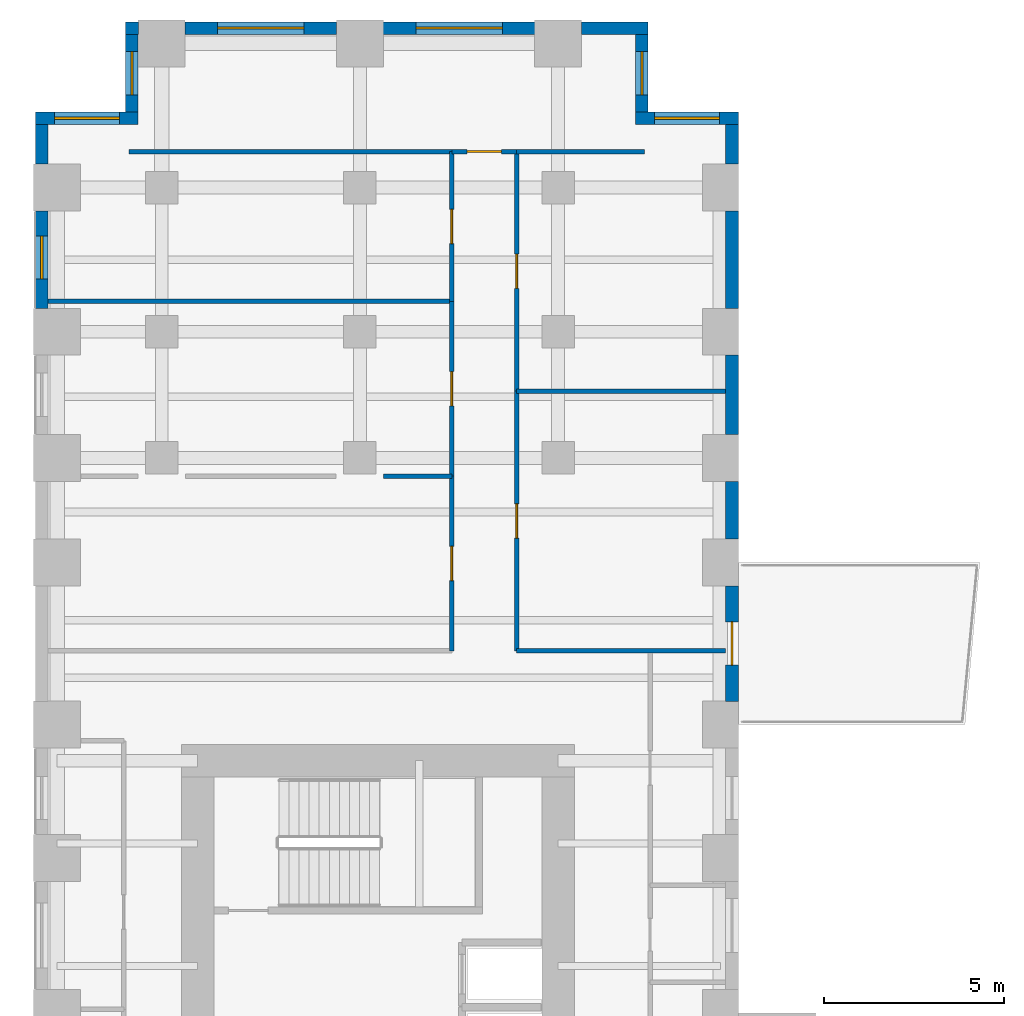
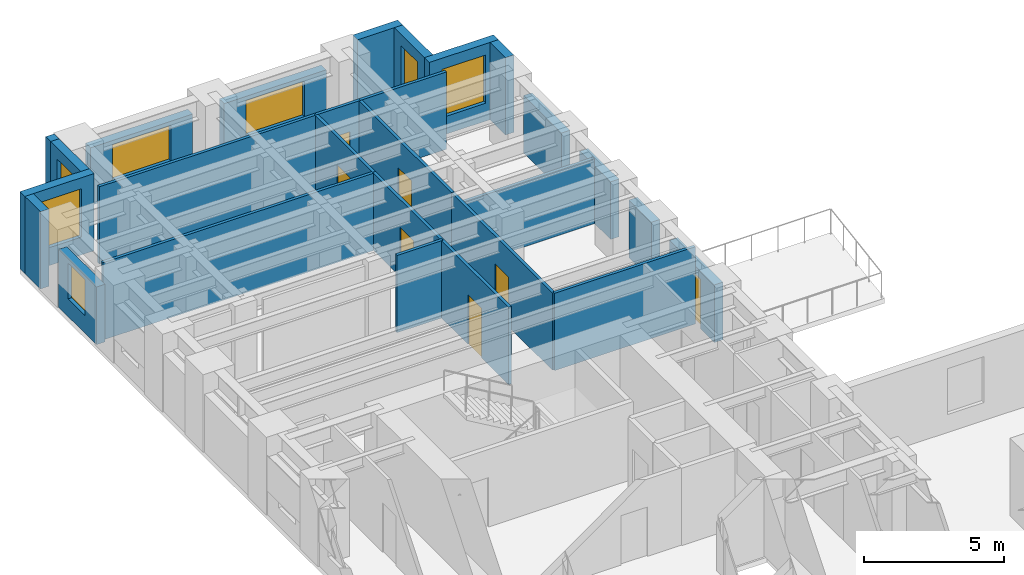
# One storey, part 9 of 12: 27 walls, 7 doors, 7 windows, 14 openings.
"""IFC4 building model written with IfcOpenShell, lengths in metres."""

from ifc_helpers import new_model, si_unit, direction, frame, frame_2d, origin, place, context, subcontext, project, spatial, rectangle, extrude, source, transform, mapped, material, layer, layer_set, type_object, element, fill, save


model = new_model("IFC4")

# Units and contexts
model_context = context("Model", 3, precision=1e-05, world=origin(), true_north=direction((0.0, 1.0)))
body_context = subcontext(model_context, "Body", "Model", "MODEL_VIEW")
ifc_project = project(units=[si_unit("LENGTHUNIT", "METRE"), si_unit("AREAUNIT", "SQUARE_METRE"), si_unit("VOLUMEUNIT", "CUBIC_METRE"), si_unit("PLANEANGLEUNIT", "RADIAN"), si_unit("MASSUNIT", "GRAM", prefix="KILO")], contexts=[model_context])

# Site, building, storey
site_placement = place(None, origin())
site = spatial("IfcSite", under=ifc_project, at=site_placement, CompositionType="ELEMENT")
building_placement = place(site_placement, origin())
building = spatial("IfcBuilding", under=site, at=building_placement, Name="Kharzan Plaza Tower", CompositionType="ELEMENT")
storey_placement = place(building_placement, frame((0.0, 0.0, 26.10009765625)))
storey = spatial("IfcBuildingStorey", under=building, at=storey_placement, Name="L06", CompositionType="ELEMENT", Elevation=26.10009765625)

# Wall, opening, window
ifc_material_1 = material(Name="Concrete C40/50", Category="concrete")
ifc_layer_1 = layer(ifc_material_1, 0.35009765625)
ifc_layer_set_1 = layer_set([ifc_layer_1], Name="Concrete C40/50")
wall_type_1 = type_object("IfcWallType", Name="WL-EXT-MAS-Z1", PredefinedType="SOLIDWALL", material=ifc_layer_set_1)
wall_1_placement = place(storey_placement, frame((19.5, 47.324951171875, 0.0), z_axis=(0.0, 0.0, 1.0), x_axis=(-1.0, 0.0, 0.0)))
wall_1 = element("IfcWall", 1, at=wall_1_placement, inside=storey, type_object=wall_type_1, Name="L06 Masonry-Frame Exterior Wall 01", PredefinedType="SOLIDWALL", context=body_context, shape_type="SweptSolid", body=[
    extrude(rectangle(XDim=2.85009765625, YDim=0.35009765625, at=frame_2d((1.425048828125, 0.0))), origin(), (0.0, 0.0, 1.0), 3.364990234375),
])
opening_1_placement = place(wall_1_placement, frame((0.52490234375, 0.0, 0.780029296875)))
opening_1 = element("IfcOpeningElement", 2, at=opening_1_placement, cuts=wall_1, Name="Opening W1", PredefinedType="OPENING", context=body_context, shape_type="SweptSolid", body=[
    extrude(rectangle(XDim=1.800048828125, YDim=2.10009765625, at=frame_2d((0.89990234375, 1.050048828125))), frame((0.0, 0.18505859375, 0.0), z_axis=(0.0, -1.0, 0.0), x_axis=(1.0, 0.0, 0.0)), (0.0, 0.0, 1.0), 0.3701171875),
])
ifc_material_2 = material(Name="Low-E Double Glazing", Category="glass")
window_type_1 = type_object("IfcWindowType", Name="WN-REC-1800x2100", PartitioningType="SINGLE_PANEL", PredefinedType="WINDOW", material=ifc_material_2)
shared_shape_1 = source(origin(), body_context, "Body", "SweptSolid", [
    extrude(rectangle(XDim=1.800048828125, YDim=2.10009765625, at=frame_2d((0.89990234375, 1.050048828125))), frame((0.0, 0.030029296875, 0.0), z_axis=(0.0, -1.0, 0.0), x_axis=(1.0, 0.0, 0.0)), (0.0, 0.0, 1.0), 0.06005859375),
])
window_1_placement = place(opening_1_placement, origin())
window_1 = element("IfcWindow", 3, at=window_1_placement, inside=storey, type_object=window_type_1, Name="L06 Recessed Solar-Control Window 01-1", OverallHeight=2.10009765625, OverallWidth=1.800048828125, PartitioningType="SINGLE_PANEL", PredefinedType="WINDOW", context=body_context, shape_type="MappedRepresentation", body=[
    mapped(shared_shape_1, transform((0.0, 0.0, 0.0), x_axis=(1.0, 0.0, 0.0), y_axis=(0.0, 1.0, 0.0), z_axis=(0.0, 0.0, 1.0))),
])
fill(opening_1, window_1)

wall_2_placement = place(storey_placement, frame((16.824951171875, 47.498046875, 0.0), z_axis=(0.0, 0.0, 1.0), x_axis=(0.0, 1.0, 0.0)))
wall_2 = element("IfcWall", 4, at=wall_2_placement, inside=storey, type_object=wall_type_1, Name="L06 Masonry-Frame Exterior Wall 02", PredefinedType="SOLIDWALL", context=body_context, shape_type="SweptSolid", body=[
    extrude(rectangle(XDim=2.154052734375, YDim=0.35009765625, at=frame_2d((1.0771484375, 0.0))), origin(), (0.0, 0.0, 1.0), 3.364990234375),
])
opening_2_placement = place(wall_2_placement, frame((0.47705078125, 0.0, 0.780029296875)))
opening_2 = element("IfcOpeningElement", 5, at=opening_2_placement, cuts=wall_2, Name="Opening W3", PredefinedType="OPENING", context=body_context, shape_type="SweptSolid", body=[
    extrude(rectangle(XDim=1.199951171875, YDim=2.10009765625, at=frame_2d((0.60009765625, 1.050048828125))), frame((0.0, 0.18505859375, 0.0), z_axis=(0.0, -1.0, 0.0), x_axis=(1.0, 0.0, 0.0)), (0.0, 0.0, 1.0), 0.3701171875),
])
window_type_2 = type_object("IfcWindowType", Name="WN-REC-1200x2100", PartitioningType="SINGLE_PANEL", PredefinedType="WINDOW", material=ifc_material_2)
shared_shape_2 = source(origin(), body_context, "Body", "SweptSolid", [
    extrude(rectangle(XDim=1.199951171875, YDim=2.10009765625, at=frame_2d((0.60009765625, 1.050048828125))), frame((0.0, 0.030029296875, 0.0), z_axis=(0.0, -1.0, 0.0), x_axis=(1.0, 0.0, 0.0)), (0.0, 0.0, 1.0), 0.06005859375),
])
window_2_placement = place(opening_2_placement, origin())
window_2 = element("IfcWindow", 6, at=window_2_placement, inside=storey, type_object=window_type_2, Name="L06 Recessed Solar-Control Window 02-1", OverallHeight=2.10009765625, OverallWidth=1.199951171875, PartitioningType="SINGLE_PANEL", PredefinedType="WINDOW", context=body_context, shape_type="MappedRepresentation", body=[
    mapped(shared_shape_2, transform((0.0, 0.0, 0.0), x_axis=(1.0, 0.0, 0.0), y_axis=(0.0, 1.0, 0.0), z_axis=(0.0, 0.0, 1.0))),
])
fill(opening_2, window_2)

wall_3_placement = place(storey_placement, frame((13.85205078125, 49.824951171875, 0.0), z_axis=(0.0, 0.0, 1.0), x_axis=(-1.0, 0.0, 0.0)))
wall_3 = element("IfcWall", 7, at=wall_3_placement, inside=storey, type_object=wall_type_1, Name="L06 Masonry-Frame Exterior Wall 04", PredefinedType="SOLIDWALL", context=body_context, shape_type="SweptSolid", body=[
    extrude(rectangle(XDim=4.2041015625, YDim=0.35009765625, at=frame_2d((2.10205078125, 0.0))), origin(), (0.0, 0.0, 1.0), 2.510009765625),
])
opening_3_placement = place(wall_3_placement, frame((0.902099609375, 0.0, 0.780029296875)))
opening_3 = element("IfcOpeningElement", 8, at=opening_3_placement, cuts=wall_3, Name="Opening W2", PredefinedType="OPENING", context=body_context, shape_type="SweptSolid", body=[
    extrude(rectangle(XDim=2.39990234375, YDim=1.550048828125, at=frame_2d((1.199951171875, 0.77490234375))), frame((0.0, 0.18505859375, 0.0), z_axis=(0.0, -1.0, 0.0), x_axis=(1.0, 0.0, 0.0)), (0.0, 0.0, 1.0), 0.3701171875),
])
window_type_3 = type_object("IfcWindowType", Name="WN-REC-2400x2100", PartitioningType="SINGLE_PANEL", PredefinedType="WINDOW", material=ifc_material_2)
shared_shape_3 = source(origin(), body_context, "Body", "SweptSolid", [
    extrude(rectangle(XDim=2.39990234375, YDim=1.550048828125, at=frame_2d((1.199951171875, 0.77490234375))), frame((0.0, 0.030029296875, 0.0), z_axis=(0.0, -1.0, 0.0), x_axis=(1.0, 0.0, 0.0)), (0.0, 0.0, 1.0), 0.06005859375),
])
window_3_placement = place(opening_3_placement, origin())
window_3 = element("IfcWindow", 9, at=window_3_placement, inside=storey, type_object=window_type_3, Name="L06 Wide Recessed Solar-Control Window 04-1", OverallHeight=1.550048828125, OverallWidth=2.39990234375, PartitioningType="SINGLE_PANEL", PredefinedType="WINDOW", context=body_context, shape_type="MappedRepresentation", body=[
    mapped(shared_shape_3, transform((0.0, 0.0, 0.0), x_axis=(1.0, 0.0, 0.0), y_axis=(0.0, 1.0, 0.0), z_axis=(0.0, 0.0, 1.0))),
])
fill(opening_3, window_3)

wall_4_placement = place(storey_placement, frame((8.35205078125, 49.824951171875, 0.0), z_axis=(0.0, 0.0, 1.0), x_axis=(-1.0, 0.0, 0.0)))
wall_4 = element("IfcWall", 10, at=wall_4_placement, inside=storey, type_object=wall_type_1, Name="L06 Masonry-Frame Exterior Wall 05", PredefinedType="SOLIDWALL", context=body_context, shape_type="SweptSolid", body=[
    extrude(rectangle(XDim=4.2041015625, YDim=0.35009765625, at=frame_2d((2.10205078125, 0.0))), origin(), (0.0, 0.0, 1.0), 2.510009765625),
])
opening_4_placement = place(wall_4_placement, frame((0.902099609375, 0.0, 0.780029296875)))
opening_4 = element("IfcOpeningElement", 11, at=opening_4_placement, cuts=wall_4, Name="Opening W2", PredefinedType="OPENING", context=body_context, shape_type="SweptSolid", body=[
    extrude(rectangle(XDim=2.39990234375, YDim=1.550048828125, at=frame_2d((1.199951171875, 0.77490234375))), frame((0.0, 0.18505859375, 0.0), z_axis=(0.0, -1.0, 0.0), x_axis=(1.0, 0.0, 0.0)), (0.0, 0.0, 1.0), 0.3701171875),
])
window_4_placement = place(opening_4_placement, origin())
window_4 = element("IfcWindow", 12, at=window_4_placement, inside=storey, type_object=window_type_3, Name="L06 Wide Recessed Solar-Control Window 05-1", OverallHeight=1.550048828125, OverallWidth=2.39990234375, PartitioningType="SINGLE_PANEL", PredefinedType="WINDOW", context=body_context, shape_type="MappedRepresentation", body=[
    mapped(shared_shape_3, transform((0.0, 0.0, 0.0), x_axis=(1.0, 0.0, 0.0), y_axis=(0.0, 1.0, 0.0), z_axis=(0.0, 0.0, 1.0))),
])
fill(opening_4, window_4)

wall_5_placement = place(storey_placement, frame((2.675048828125, 49.652099609375, 0.0), z_axis=(0.0, 0.0, 1.0), x_axis=(0.0, -1.0, 0.0)))
wall_5 = element("IfcWall", 13, at=wall_5_placement, inside=storey, type_object=wall_type_1, Name="L06 Masonry-Frame Exterior Wall 07", PredefinedType="SOLIDWALL", context=body_context, shape_type="SweptSolid", body=[
    extrude(rectangle(XDim=2.154052734375, YDim=0.35009765625, at=frame_2d((1.0771484375, 0.0))), origin(), (0.0, 0.0, 1.0), 3.364990234375),
])
opening_5_placement = place(wall_5_placement, frame((0.47705078125, 0.0, 0.780029296875)))
opening_5 = element("IfcOpeningElement", 14, at=opening_5_placement, cuts=wall_5, Name="Opening W3", PredefinedType="OPENING", context=body_context, shape_type="SweptSolid", body=[
    extrude(rectangle(XDim=1.199951171875, YDim=2.10009765625, at=frame_2d((0.60009765625, 1.050048828125))), frame((0.0, 0.18505859375, 0.0), z_axis=(0.0, -1.0, 0.0), x_axis=(1.0, 0.0, 0.0)), (0.0, 0.0, 1.0), 0.3701171875),
])
window_5_placement = place(opening_5_placement, origin())
window_5 = element("IfcWindow", 15, at=window_5_placement, inside=storey, type_object=window_type_2, Name="L06 Recessed Solar-Control Window 07-1", OverallHeight=2.10009765625, OverallWidth=1.199951171875, PartitioningType="SINGLE_PANEL", PredefinedType="WINDOW", context=body_context, shape_type="MappedRepresentation", body=[
    mapped(shared_shape_2, transform((0.0, 0.0, 0.0), x_axis=(1.0, 0.0, 0.0), y_axis=(0.0, 1.0, 0.0), z_axis=(0.0, 0.0, 1.0))),
])
fill(opening_5, window_5)

wall_6_placement = place(storey_placement, frame((2.85009765625, 47.324951171875, 0.0), z_axis=(0.0, 0.0, 1.0), x_axis=(-1.0, 0.0, 0.0)))
wall_6 = element("IfcWall", 16, at=wall_6_placement, inside=storey, type_object=wall_type_1, Name="L06 Masonry-Frame Exterior Wall 08", PredefinedType="SOLIDWALL", context=body_context, shape_type="SweptSolid", body=[
    extrude(rectangle(XDim=2.85009765625, YDim=0.35009765625, at=frame_2d((1.425048828125, 0.0))), origin(), (0.0, 0.0, 1.0), 3.364990234375),
])
opening_6_placement = place(wall_6_placement, frame((0.52490234375, 0.0, 0.780029296875)))
opening_6 = element("IfcOpeningElement", 17, at=opening_6_placement, cuts=wall_6, Name="Opening W1", PredefinedType="OPENING", context=body_context, shape_type="SweptSolid", body=[
    extrude(rectangle(XDim=1.800048828125, YDim=2.10009765625, at=frame_2d((0.89990234375, 1.050048828125))), frame((0.0, 0.18505859375, 0.0), z_axis=(0.0, -1.0, 0.0), x_axis=(1.0, 0.0, 0.0)), (0.0, 0.0, 1.0), 0.3701171875),
])
window_6_placement = place(opening_6_placement, origin())
window_6 = element("IfcWindow", 18, at=window_6_placement, inside=storey, type_object=window_type_1, Name="L06 Recessed Solar-Control Window 08-1", OverallHeight=2.10009765625, OverallWidth=1.800048828125, PartitioningType="SINGLE_PANEL", PredefinedType="WINDOW", context=body_context, shape_type="MappedRepresentation", body=[
    mapped(shared_shape_1, transform((0.0, 0.0, 0.0), x_axis=(1.0, 0.0, 0.0), y_axis=(0.0, 1.0, 0.0), z_axis=(0.0, 0.0, 1.0))),
])
fill(opening_6, window_6)

wall_7_placement = place(storey_placement, frame((0.175048828125, 44.751953125, 0.0), z_axis=(0.0, 0.0, 1.0), x_axis=(0.0, -1.0, 0.0)))
wall_7 = element("IfcWall", 19, at=wall_7_placement, inside=storey, type_object=wall_type_1, Name="L06 Masonry-Frame Exterior Wall 10", PredefinedType="SOLIDWALL", context=body_context, shape_type="SweptSolid", body=[
    extrude(rectangle(XDim=2.703857421875, YDim=0.35009765625, at=frame_2d((1.35205078125, 0.0))), origin(), (0.0, 0.0, 1.0), 2.510009765625),
])
opening_7_placement = place(wall_7_placement, frame((0.6884765625, 0.0, 0.780029296875)))
opening_7 = element("IfcOpeningElement", 20, at=opening_7_placement, cuts=wall_7, Name="Opening W3", PredefinedType="OPENING", context=body_context, shape_type="SweptSolid", body=[
    extrude(rectangle(XDim=1.199951171875, YDim=1.550048828125, at=frame_2d((0.60009765625, 0.77490234375))), frame((0.0, 0.18505859375, 0.0), z_axis=(0.0, -1.0, 0.0), x_axis=(1.0, 0.0, 0.0)), (0.0, 0.0, 1.0), 0.3701171875),
])
shared_shape_4 = source(origin(), body_context, "Body", "SweptSolid", [
    extrude(rectangle(XDim=1.199951171875, YDim=1.550048828125, at=frame_2d((0.60009765625, 0.77490234375))), frame((0.0, 0.030029296875, 0.0), z_axis=(0.0, -1.0, 0.0), x_axis=(1.0, 0.0, 0.0)), (0.0, 0.0, 1.0), 0.06005859375),
])
window_7_placement = place(opening_7_placement, origin())
window_7 = element("IfcWindow", 21, at=window_7_placement, inside=storey, type_object=window_type_2, Name="L06 Recessed Solar-Control Window 10-1", OverallHeight=1.550048828125, OverallWidth=1.199951171875, PartitioningType="SINGLE_PANEL", PredefinedType="WINDOW", context=body_context, shape_type="MappedRepresentation", body=[
    mapped(shared_shape_4, transform((0.0, 0.0, 0.0), x_axis=(1.0, 0.0, 0.0), y_axis=(0.0, 1.0, 0.0), z_axis=(0.0, 0.0, 1.0))),
])
fill(opening_7, window_7)

# Wall, opening, door
wall_8_placement = place(storey_placement, frame((19.324951171875, 31.14794921875, 0.0), z_axis=(0.0, 0.0, 1.0), x_axis=(0.0, 1.0, 0.0)))
wall_8 = element("IfcWall", 22, at=wall_8_placement, inside=storey, type_object=wall_type_1, Name="L06 Masonry-Frame Exterior Wall 56", PredefinedType="SOLIDWALL", context=body_context, shape_type="SweptSolid", body=[
    extrude(rectangle(XDim=3.2041015625, YDim=0.35009765625, at=frame_2d((1.60205078125, 0.0))), origin(), (0.0, 0.0, 1.0), 2.510009765625),
])
opening_8_placement = place(wall_8_placement, frame((1.001953125, 0.0, 0.0)))
opening_8 = element("IfcOpeningElement", 23, at=opening_8_placement, cuts=wall_8, Name="Opening ED3", PredefinedType="OPENING", context=body_context, shape_type="SweptSolid", body=[
    extrude(rectangle(XDim=1.199951171875, YDim=2.14990234375, at=frame_2d((0.60009765625, 1.074951171875))), frame((0.0, 0.18505859375, 0.0), z_axis=(0.0, -1.0, 0.0), x_axis=(1.0, 0.0, 0.0)), (0.0, 0.0, 1.0), 0.3701171875),
])
ifc_material_3 = material(Name="Thermally Broken Anodized Bronze Aluminium", Category="aluminium")
door_type_1 = type_object("IfcDoorType", Name="DR-EXT-TRAY-1200", OperationType="SINGLE_SWING_LEFT", PredefinedType="DOOR", material=ifc_material_3)
shared_shape_5 = source(origin(), body_context, "Body", "SweptSolid", [
    extrude(rectangle(XDim=1.199951171875, YDim=2.14990234375, at=frame_2d((0.60009765625, 1.074951171875))), frame((0.0, 0.02490234375, 0.0), z_axis=(0.0, -1.0, 0.0), x_axis=(1.0, 0.0, 0.0)), (0.0, 0.0, 1.0), 0.050048828125),
])
door_1_placement = place(opening_8_placement, frame((1.199951171875, 0.0, 0.0), z_axis=(0.0, 0.0, 1.0), x_axis=(-1.0, 0.0, 0.0)))
door_1 = element("IfcDoor", 24, at=door_1_placement, inside=storey, type_object=door_type_1, Name="L06 Cantilevered Sky-Terrace Tray Access Door", OperationType="SINGLE_SWING_LEFT", OverallHeight=2.14990234375, OverallWidth=1.199951171875, PredefinedType="DOOR", context=body_context, shape_type="MappedRepresentation", body=[
    mapped(shared_shape_5, transform((0.0, 0.0, 0.0), x_axis=(1.0, 0.0, 0.0), y_axis=(0.0, 1.0, 0.0), z_axis=(0.0, 0.0, 1.0))),
])
fill(opening_8, door_1)

ifc_material_4 = material(Name="Fire-Rated Gypsum Board Partition", Category="gypsum")
ifc_layer_2 = layer(ifc_material_4, 0.125)
ifc_layer_set_2 = layer_set([ifc_layer_2], Name="Fire-Rated Gypsum Board Partition")
wall_type_2 = type_object("IfcWallType", Name="WL-INT-PART-125", PredefinedType="PARTITIONING", material=ifc_layer_set_2)
wall_9_placement = place(storey_placement, frame((13.35009765625, 32.550048828125, 0.0), z_axis=(0.0, 0.0, 1.0), x_axis=(0.0, 1.0, 0.0)))
wall_9 = element("IfcWall", 25, at=wall_9_placement, inside=storey, type_object=wall_type_2, Name="L06 Interior Partition SH-SPE-1", PredefinedType="PARTITIONING", context=body_context, shape_type="SweptSolid", body=[
    extrude(rectangle(XDim=7.201904296875, YDim=0.125, at=frame_2d((3.60107421875, 0.0))), origin(), (0.0, 0.0, 1.0), 3.364990234375),
])
opening_9_placement = place(wall_9_placement, frame((3.1259765625, 0.0, 0.0)))
opening_9 = element("IfcOpeningElement", 26, at=opening_9_placement, cuts=wall_9, Name="Opening OD1", PredefinedType="OPENING", context=body_context, shape_type="SweptSolid", body=[
    extrude(rectangle(XDim=0.949951171875, YDim=2.14990234375, at=frame_2d((0.47509765625, 1.074951171875))), frame((0.0, 0.072509765625, 0.0), z_axis=(0.0, -1.0, 0.0), x_axis=(1.0, 0.0, 0.0)), (0.0, 0.0, 1.0), 0.14501953125),
])
ifc_material_5 = material(Name="Acoustic Solid-Core Stained Oak", Category="timber")
door_type_2 = type_object("IfcDoorType", Name="DR-OFF-SINGLE", OperationType="NOTDEFINED", PredefinedType="DOOR", material=ifc_material_5)
shared_shape_6 = source(origin(), body_context, "Body", "SweptSolid", [
    extrude(rectangle(XDim=0.949951171875, YDim=2.14990234375, at=frame_2d((0.47509765625, 1.074951171875))), frame((0.0, 0.02490234375, 0.0), z_axis=(0.0, -1.0, 0.0), x_axis=(1.0, 0.0, 0.0)), (0.0, 0.0, 1.0), 0.050048828125),
])
door_2_placement = place(opening_9_placement, origin())
door_2 = element("IfcDoor", 27, at=door_2_placement, inside=storey, type_object=door_type_2, Name="L06 Architectural Design Studio Door", OperationType="SINGLE_SWING_RIGHT", OverallHeight=2.14990234375, OverallWidth=0.949951171875, PredefinedType="DOOR", context=body_context, shape_type="MappedRepresentation", body=[
    mapped(shared_shape_6, transform((0.0, 0.0, 0.0), x_axis=(1.0, 0.0, 0.0), y_axis=(0.0, 1.0, 0.0), z_axis=(0.0, 0.0, 1.0))),
])
fill(opening_9, door_2)

wall_10_placement = place(storey_placement, frame((13.35009765625, 39.751953125, 0.0), z_axis=(0.0, 0.0, 1.0), x_axis=(0.0, 1.0, 0.0)))
wall_10 = element("IfcWall", 28, at=wall_10_placement, inside=storey, type_object=wall_type_2, Name="L06 Interior Partition SH-SPE-2", PredefinedType="PARTITIONING", context=body_context, shape_type="SweptSolid", body=[
    extrude(rectangle(XDim=6.64794921875, YDim=0.125, at=frame_2d((3.323974609375, 0.0))), origin(), (0.0, 0.0, 1.0), 3.364990234375),
])
opening_10_placement = place(wall_10_placement, frame((2.84912109375, 0.0, 0.0)))
opening_10 = element("IfcOpeningElement", 29, at=opening_10_placement, cuts=wall_10, Name="Opening OD1", PredefinedType="OPENING", context=body_context, shape_type="SweptSolid", body=[
    extrude(rectangle(XDim=0.949951171875, YDim=2.14990234375, at=frame_2d((0.47509765625, 1.074951171875))), frame((0.0, 0.072509765625, 0.0), z_axis=(0.0, -1.0, 0.0), x_axis=(1.0, 0.0, 0.0)), (0.0, 0.0, 1.0), 0.14501953125),
])
door_3_placement = place(opening_10_placement, origin())
door_3 = element("IfcDoor", 30, at=door_3_placement, inside=storey, type_object=door_type_2, Name="L06 Architectural Design Studio Door", OperationType="SINGLE_SWING_RIGHT", OverallHeight=2.14990234375, OverallWidth=0.949951171875, PredefinedType="DOOR", context=body_context, shape_type="MappedRepresentation", body=[
    mapped(shared_shape_6, transform((0.0, 0.0, 0.0), x_axis=(1.0, 0.0, 0.0), y_axis=(0.0, 1.0, 0.0), z_axis=(0.0, 0.0, 1.0))),
])
fill(opening_10, door_3)

wall_11_placement = place(storey_placement, frame((11.550048828125, 46.39990234375, 0.0), z_axis=(0.0, 0.0, 1.0), x_axis=(1.0, 0.0, 0.0)))
wall_11 = element("IfcWall", 31, at=wall_11_placement, inside=storey, type_object=wall_type_2, Name="L06 Interior Partition SH-SPHD", PredefinedType="PARTITIONING", context=body_context, shape_type="SweptSolid", body=[
    extrude(rectangle(XDim=1.800048828125, YDim=0.125, at=frame_2d((0.89990234375, 0.0))), origin(), (0.0, 0.0, 1.0), 3.364990234375),
])
opening_11_placement = place(wall_11_placement, frame((0.425048828125, 0.0, 0.0)))
opening_11 = element("IfcOpeningElement", 32, at=opening_11_placement, cuts=wall_11, Name="Opening OD1", PredefinedType="OPENING", context=body_context, shape_type="SweptSolid", body=[
    extrude(rectangle(XDim=0.949951171875, YDim=2.14990234375, at=frame_2d((0.47509765625, 1.074951171875))), frame((0.0, 0.072509765625, 0.0), z_axis=(0.0, -1.0, 0.0), x_axis=(1.0, 0.0, 0.0)), (0.0, 0.0, 1.0), 0.14501953125),
])
door_4_placement = place(opening_11_placement, origin())
door_4 = element("IfcDoor", 33, at=door_4_placement, inside=storey, type_object=door_type_2, Name="L06 North Boardroom Door", OperationType="SINGLE_SWING_RIGHT", OverallHeight=2.14990234375, OverallWidth=0.949951171875, PredefinedType="DOOR", context=body_context, shape_type="MappedRepresentation", body=[
    mapped(shared_shape_6, transform((0.0, 0.0, 0.0), x_axis=(1.0, 0.0, 0.0), y_axis=(0.0, 1.0, 0.0), z_axis=(0.0, 0.0, 1.0))),
])
fill(opening_11, door_4)

wall_12_placement = place(storey_placement, frame((11.550048828125, 32.550048828125, 0.0), z_axis=(0.0, 0.0, 1.0), x_axis=(0.0, 1.0, 0.0)))
wall_12 = element("IfcWall", 34, at=wall_12_placement, inside=storey, type_object=wall_type_2, Name="L06 Interior Partition SH-SPW-1", PredefinedType="PARTITIONING", context=body_context, shape_type="SweptSolid", body=[
    extrude(rectangle(XDim=4.846923828125, YDim=0.125, at=frame_2d((2.42333984375, 0.0))), origin(), (0.0, 0.0, 1.0), 3.364990234375),
])
opening_12_placement = place(wall_12_placement, frame((1.948486328125, 0.0, 0.0)))
opening_12 = element("IfcOpeningElement", 35, at=opening_12_placement, cuts=wall_12, Name="Opening OD1", PredefinedType="OPENING", context=body_context, shape_type="SweptSolid", body=[
    extrude(rectangle(XDim=0.949951171875, YDim=2.14990234375, at=frame_2d((0.47509765625, 1.074951171875))), frame((0.0, 0.072509765625, 0.0), z_axis=(0.0, -1.0, 0.0), x_axis=(1.0, 0.0, 0.0)), (0.0, 0.0, 1.0), 0.14501953125),
])
door_5_placement = place(opening_12_placement, origin())
door_5 = element("IfcDoor", 36, at=door_5_placement, inside=storey, type_object=door_type_2, Name="L06 Staff Tea Pantry Door", OperationType="SINGLE_SWING_LEFT", OverallHeight=2.14990234375, OverallWidth=0.949951171875, PredefinedType="DOOR", context=body_context, shape_type="MappedRepresentation", body=[
    mapped(shared_shape_6, transform((0.0, 0.0, 0.0), x_axis=(1.0, 0.0, 0.0), y_axis=(0.0, 1.0, 0.0), z_axis=(0.0, 0.0, 1.0))),
])
fill(opening_12, door_5)

wall_13_placement = place(storey_placement, frame((11.550048828125, 37.39697265625, 0.0), z_axis=(0.0, 0.0, 1.0), x_axis=(0.0, 1.0, 0.0)))
wall_13 = element("IfcWall", 37, at=wall_13_placement, inside=storey, type_object=wall_type_2, Name="L06 Interior Partition SH-SPW-2", PredefinedType="PARTITIONING", context=body_context, shape_type="SweptSolid", body=[
    extrude(rectangle(XDim=4.84814453125, YDim=0.125, at=frame_2d((2.424072265625, 0.0))), origin(), (0.0, 0.0, 1.0), 3.364990234375),
])
opening_13_placement = place(wall_13_placement, frame((1.948974609375, 0.0, 0.0)))
opening_13 = element("IfcOpeningElement", 38, at=opening_13_placement, cuts=wall_13, Name="Opening OD1", PredefinedType="OPENING", context=body_context, shape_type="SweptSolid", body=[
    extrude(rectangle(XDim=0.949951171875, YDim=2.14990234375, at=frame_2d((0.47509765625, 1.074951171875))), frame((0.0, 0.072509765625, 0.0), z_axis=(0.0, -1.0, 0.0), x_axis=(1.0, 0.0, 0.0)), (0.0, 0.0, 1.0), 0.14501953125),
])
door_6_placement = place(opening_13_placement, origin())
door_6 = element("IfcDoor", 39, at=door_6_placement, inside=storey, type_object=door_type_2, Name="L06 Staff Tea Pantry Door", OperationType="SINGLE_SWING_RIGHT", OverallHeight=2.14990234375, OverallWidth=0.949951171875, PredefinedType="DOOR", context=body_context, shape_type="MappedRepresentation", body=[
    mapped(shared_shape_6, transform((0.0, 0.0, 0.0), x_axis=(1.0, 0.0, 0.0), y_axis=(0.0, 1.0, 0.0), z_axis=(0.0, 0.0, 1.0))),
])
fill(opening_13, door_6)

wall_14_placement = place(storey_placement, frame((11.550048828125, 42.2451171875, 0.0), z_axis=(0.0, 0.0, 1.0), x_axis=(0.0, 1.0, 0.0)))
wall_14 = element("IfcWall", 40, at=wall_14_placement, inside=storey, type_object=wall_type_2, Name="L06 Interior Partition SH-SPW-3", PredefinedType="PARTITIONING", context=body_context, shape_type="SweptSolid", body=[
    extrude(rectangle(XDim=4.15478515625, YDim=0.125, at=frame_2d((2.077392578125, 0.0))), origin(), (0.0, 0.0, 1.0), 3.364990234375),
])
opening_14_placement = place(wall_14_placement, frame((1.6025390625, 0.0, 0.0)))
opening_14 = element("IfcOpeningElement", 41, at=opening_14_placement, cuts=wall_14, Name="Opening OD1", PredefinedType="OPENING", context=body_context, shape_type="SweptSolid", body=[
    extrude(rectangle(XDim=0.949951171875, YDim=2.14990234375, at=frame_2d((0.47509765625, 1.074951171875))), frame((0.0, 0.072509765625, 0.0), z_axis=(0.0, -1.0, 0.0), x_axis=(1.0, 0.0, 0.0)), (0.0, 0.0, 1.0), 0.14501953125),
])
door_7_placement = place(opening_14_placement, origin())
door_7 = element("IfcDoor", 42, at=door_7_placement, inside=storey, type_object=door_type_2, Name="L06 Standards Compliance Office Door", OperationType="SINGLE_SWING_LEFT", OverallHeight=2.14990234375, OverallWidth=0.949951171875, PredefinedType="DOOR", context=body_context, shape_type="MappedRepresentation", body=[
    mapped(shared_shape_6, transform((0.0, 0.0, 0.0), x_axis=(1.0, 0.0, 0.0), y_axis=(0.0, 1.0, 0.0), z_axis=(0.0, 0.0, 1.0))),
])
fill(opening_14, door_7)

# Walls
shared_shape_7 = source(origin(), body_context, "Body", "SweptSolid", [
    extrude(rectangle(XDim=1.85205078125, YDim=0.35009765625, at=frame_2d((0.926025390625, 0.0))), origin(), (0.0, 0.0, 1.0), 3.364990234375),
])
wall_15_placement = place(storey_placement, frame((17.0, 49.824951171875, 0.0), z_axis=(0.0, 0.0, 1.0), x_axis=(-1.0, 0.0, 0.0)))
element("IfcWall", 43, at=wall_15_placement, inside=storey, type_object=wall_type_1, Name="L06 Masonry-Frame Exterior Wall 03", PredefinedType="SOLIDWALL", context=body_context, shape_type="MappedRepresentation", body=[
    mapped(shared_shape_7, transform((0.0, 0.0, 0.0), x_axis=(1.0, 0.0, 0.0), y_axis=(0.0, 1.0, 0.0), z_axis=(0.0, 0.0, 1.0))),
])
shared_shape_8 = source(origin(), body_context, "Body", "SweptSolid", [
    extrude(rectangle(XDim=0.35205078125, YDim=0.35009765625, at=frame_2d((0.176025390625, 0.0))), origin(), (0.0, 0.0, 1.0), 3.364990234375),
])
wall_16_placement = place(storey_placement, frame((2.85205078125, 49.824951171875, 0.0), z_axis=(0.0, 0.0, 1.0), x_axis=(-1.0, 0.0, 0.0)))
element("IfcWall", 44, at=wall_16_placement, inside=storey, type_object=wall_type_1, Name="L06 Masonry-Frame Exterior Wall 06", PredefinedType="SOLIDWALL", context=body_context, shape_type="MappedRepresentation", body=[
    mapped(shared_shape_8, transform((0.0, 0.0, 0.0), x_axis=(1.0, 0.0, 0.0), y_axis=(0.0, 1.0, 0.0), z_axis=(0.0, 0.0, 1.0))),
])
shared_shape_9 = source(origin(), body_context, "Body", "SweptSolid", [
    extrude(rectangle(XDim=1.10400390625, YDim=0.35009765625, at=frame_2d((0.552001953125, 0.0))), origin(), (0.0, 0.0, 1.0), 3.364990234375),
])
for number, where, z_axis, x_axis, name in (
    (45, (0.175048828125, 47.152099609375, 0.0), (0.0, 0.0, 1.0), (0.0, -1.0, 0.0), "L06 Masonry-Frame Exterior Wall 09"),
    (46, (19.324951171875, 46.048095703125, 0.0), (0.0, 0.0, 1.0), (0.0, 1.0, 0.0), "L06 Masonry-Frame Exterior Wall 60"),
):
    element("IfcWall", number, at=place(storey_placement, frame(where, z_axis=z_axis, x_axis=x_axis)), inside=storey, type_object=wall_type_1, Name=name, PredefinedType="SOLIDWALL", context=body_context, shape_type="MappedRepresentation", body=[
        mapped(shared_shape_9, transform((0.0, 0.0, 0.0), x_axis=(1.0, 0.0, 0.0), y_axis=(0.0, 1.0, 0.0), z_axis=(0.0, 0.0, 1.0))),
    ])
shared_shape_10 = source(origin(), body_context, "Body", "SweptSolid", [
    extrude(rectangle(XDim=1.60400390625, YDim=0.35009765625, at=frame_2d((0.802001953125, 0.0))), origin(), (0.0, 0.0, 1.0), 2.510009765625),
])
wall_17_placement = place(storey_placement, frame((19.324951171875, 35.64794921875, 0.0), z_axis=(0.0, 0.0, 1.0), x_axis=(0.0, 1.0, 0.0)))
element("IfcWall", 47, at=wall_17_placement, inside=storey, type_object=wall_type_1, Name="L06 Masonry-Frame Exterior Wall 57", PredefinedType="SOLIDWALL", context=body_context, shape_type="MappedRepresentation", body=[
    mapped(shared_shape_10, transform((0.0, 0.0, 0.0), x_axis=(1.0, 0.0, 0.0), y_axis=(0.0, 1.0, 0.0), z_axis=(0.0, 0.0, 1.0))),
])
shared_shape_11 = source(origin(), body_context, "Body", "SweptSolid", [
    extrude(rectangle(XDim=2.203857421875, YDim=0.35009765625, at=frame_2d((1.10205078125, 0.0))), origin(), (0.0, 0.0, 1.0), 2.510009765625),
])
wall_18_placement = place(storey_placement, frame((19.324951171875, 38.548095703125, 0.0), z_axis=(0.0, 0.0, 1.0), x_axis=(0.0, 1.0, 0.0)))
element("IfcWall", 48, at=wall_18_placement, inside=storey, type_object=wall_type_1, Name="L06 Masonry-Frame Exterior Wall 58", PredefinedType="SOLIDWALL", context=body_context, shape_type="MappedRepresentation", body=[
    mapped(shared_shape_11, transform((0.0, 0.0, 0.0), x_axis=(1.0, 0.0, 0.0), y_axis=(0.0, 1.0, 0.0), z_axis=(0.0, 0.0, 1.0))),
])
shared_shape_12 = source(origin(), body_context, "Body", "SweptSolid", [
    extrude(rectangle(XDim=2.703857421875, YDim=0.35009765625, at=frame_2d((1.35205078125, 0.0))), origin(), (0.0, 0.0, 1.0), 2.510009765625),
])
wall_19_placement = place(storey_placement, frame((19.324951171875, 42.048095703125, 0.0), z_axis=(0.0, 0.0, 1.0), x_axis=(0.0, 1.0, 0.0)))
element("IfcWall", 49, at=wall_19_placement, inside=storey, type_object=wall_type_1, Name="L06 Masonry-Frame Exterior Wall 59", PredefinedType="SOLIDWALL", context=body_context, shape_type="MappedRepresentation", body=[
    mapped(shared_shape_12, transform((0.0, 0.0, 0.0), x_axis=(1.0, 0.0, 0.0), y_axis=(0.0, 1.0, 0.0), z_axis=(0.0, 0.0, 1.0))),
])
shared_shape_13 = source(origin(), body_context, "Body", "SweptSolid", [
    extrude(rectangle(XDim=5.7978515625, YDim=0.125, at=frame_2d((2.89892578125, 0.0))), origin(), (0.0, 0.0, 1.0), 2.827880859375),
])
wall_20_placement = place(storey_placement, frame((13.35009765625, 39.751953125, 0.0), z_axis=(0.0, 0.0, 1.0), x_axis=(1.0, 0.0, 0.0)))
element("IfcWall", 50, at=wall_20_placement, inside=storey, type_object=wall_type_2, Name="L06 Interior Partition SH-NEH-1", PredefinedType="PARTITIONING", context=body_context, shape_type="MappedRepresentation", body=[
    mapped(shared_shape_13, transform((0.0, 0.0, 0.0), x_axis=(1.0, 0.0, 0.0), y_axis=(0.0, 1.0, 0.0), z_axis=(0.0, 0.0, 1.0))),
])
shared_shape_14 = source(origin(), body_context, "Body", "SweptSolid", [
    extrude(rectangle(XDim=5.7978515625, YDim=0.125, at=frame_2d((2.89892578125, 0.0))), origin(), (0.0, 0.0, 1.0), 3.364990234375),
])
wall_21_placement = place(storey_placement, frame((13.35009765625, 32.550048828125, 0.0), z_axis=(0.0, 0.0, 1.0), x_axis=(1.0, 0.0, 0.0)))
element("IfcWall", 51, at=wall_21_placement, inside=storey, type_object=wall_type_2, Name="L06 Interior Partition SH-NNE", PredefinedType="PARTITIONING", context=body_context, shape_type="MappedRepresentation", body=[
    mapped(shared_shape_14, transform((0.0, 0.0, 0.0), x_axis=(1.0, 0.0, 0.0), y_axis=(0.0, 1.0, 0.0), z_axis=(0.0, 0.0, 1.0))),
])
shared_shape_15 = source(origin(), body_context, "Body", "SweptSolid", [
    extrude(rectangle(XDim=11.197998046875, YDim=0.125, at=frame_2d((5.59912109375, 0.0))), origin(), (0.0, 0.0, 1.0), 3.364990234375),
])
wall_22_placement = place(storey_placement, frame((0.35205078125, 42.2451171875, 0.0), z_axis=(0.0, 0.0, 1.0), x_axis=(1.0, 0.0, 0.0)))
element("IfcWall", 52, at=wall_22_placement, inside=storey, type_object=wall_type_2, Name="L06 Interior Partition SH-NWH-2", PredefinedType="PARTITIONING", context=body_context, shape_type="MappedRepresentation", body=[
    mapped(shared_shape_15, transform((0.0, 0.0, 0.0), x_axis=(1.0, 0.0, 0.0), y_axis=(0.0, 1.0, 0.0), z_axis=(0.0, 0.0, 1.0))),
])
shared_shape_16 = source(origin(), body_context, "Body", "SweptSolid", [
    extrude(rectangle(XDim=1.89013671875, YDim=0.125, at=frame_2d((0.945068359375, 0.0))), origin(), (0.0, 0.0, 1.0), 3.364990234375),
])
wall_23_placement = place(storey_placement, frame((9.659912109375, 37.39697265625, 0.0), z_axis=(0.0, 0.0, 1.0), x_axis=(1.0, 0.0, 0.0)))
element("IfcWall", 53, at=wall_23_placement, inside=storey, type_object=wall_type_2, Name="L06 Interior Partition SH-NWH-1-S3", PredefinedType="PARTITIONING", context=body_context, shape_type="MappedRepresentation", body=[
    mapped(shared_shape_16, transform((0.0, 0.0, 0.0), x_axis=(1.0, 0.0, 0.0), y_axis=(0.0, 1.0, 0.0), z_axis=(0.0, 0.0, 1.0))),
])
shared_shape_17 = source(origin(), body_context, "Body", "SweptSolid", [
    extrude(rectangle(XDim=3.5498046875, YDim=0.125, at=frame_2d((1.77490234375, 0.0))), origin(), (0.0, 0.0, 1.0), 3.364990234375),
])
wall_24_placement = place(storey_placement, frame((13.35009765625, 46.39990234375, 0.0), z_axis=(0.0, 0.0, 1.0), x_axis=(1.0, 0.0, 0.0)))
element("IfcWall", 54, at=wall_24_placement, inside=storey, type_object=wall_type_2, Name="L06 Interior Partition SH-SPHE", PredefinedType="PARTITIONING", context=body_context, shape_type="MappedRepresentation", body=[
    mapped(shared_shape_17, transform((0.0, 0.0, 0.0), x_axis=(1.0, 0.0, 0.0), y_axis=(0.0, 1.0, 0.0), z_axis=(0.0, 0.0, 1.0))),
])
shared_shape_18 = source(origin(), body_context, "Body", "SweptSolid", [
    extrude(rectangle(XDim=8.949951171875, YDim=0.125, at=frame_2d((4.47509765625, 0.0))), origin(), (0.0, 0.0, 1.0), 3.364990234375),
])
wall_25_placement = place(storey_placement, frame((2.60009765625, 46.39990234375, 0.0), z_axis=(0.0, 0.0, 1.0), x_axis=(1.0, 0.0, 0.0)))
element("IfcWall", 55, at=wall_25_placement, inside=storey, type_object=wall_type_2, Name="L06 Interior Partition SH-SPHW", PredefinedType="PARTITIONING", context=body_context, shape_type="MappedRepresentation", body=[
    mapped(shared_shape_18, transform((0.0, 0.0, 0.0), x_axis=(1.0, 0.0, 0.0), y_axis=(0.0, 1.0, 0.0), z_axis=(0.0, 0.0, 1.0))),
])

save(model, "model.ifc")
